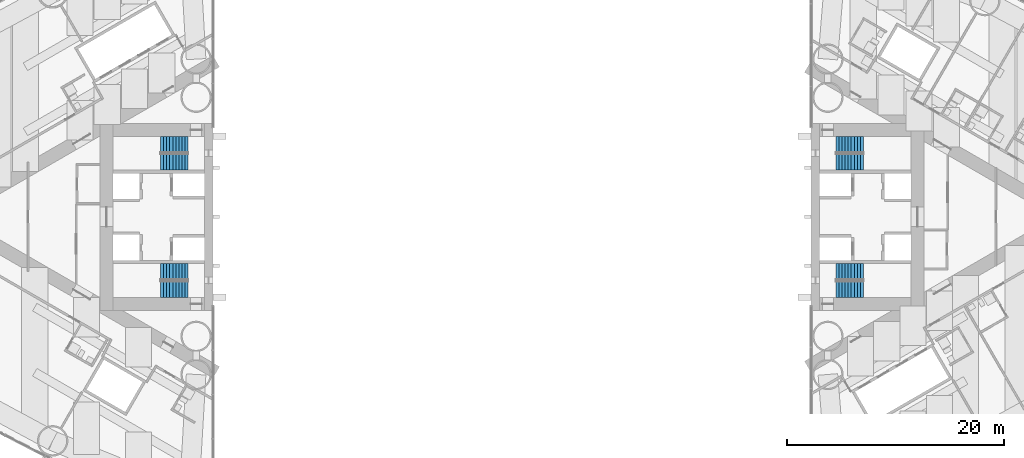
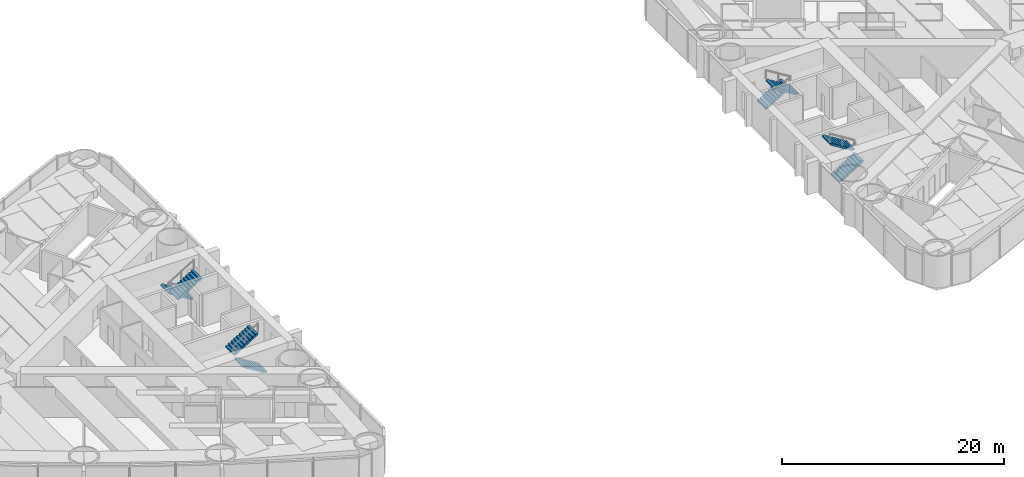
# One storey, part 17 of 19: 8 stair flights, 4 elements without a shape of their own.
"""IFC4 building model written with IfcOpenShell, lengths in metres."""

import ifcopenshell
import ifcopenshell.guid

model = None  # the IFC model being written
_history = None  # IfcOwnerHistory: only IFC2X3 demands one
_inside = {}  # id of a spatial element -> (the spatial element, [elements in it])
_under = {}  # id of a project, library or spatial element -> (it, [spatial elements below it])
_declared = {}  # id of a project -> (the project, [libraries it declares])
_typed = {}  # id of a type object -> (the type object, [elements of that type])
_made_of = {}  # id of a material, layer set ... -> (it, [elements and type objects made of it])


def new_model(schema):
    """Start an empty IFC model of exactly this schema.

    Asked for "IFC4X3", IfcOpenShell would pick the latest addendum, in which some entities
    have other attributes; the version numbers below select the first issue.
    IFC2X3 requires an IfcOwnerHistory on every rooted entity: one is made here for all.
    """
    global model, _history
    if schema == "IFC4X3":
        model = ifcopenshell.file(schema_version=(4, 3, 0, 0))
    else:
        model = ifcopenshell.file(schema=schema)
    _inside.clear()
    _under.clear()
    _declared.clear()
    _typed.clear()
    _made_of.clear()
    _history = None
    if model.schema == "IFC2X3":
        org = make("IfcOrganization", Name="unknown")
        user = make(
            "IfcPersonAndOrganization",
            ThePerson=make("IfcPerson", FamilyName="unknown"),
            TheOrganization=org,
        )
        app = make(
            "IfcApplication",
            ApplicationDeveloper=org,
            Version="unknown",
            ApplicationFullName="unknown",
            ApplicationIdentifier="unknown",
        )
        _history = make(
            "IfcOwnerHistory",
            OwningUser=user,
            OwningApplication=app,
            ChangeAction="ADDED",
            CreationDate=0,
        )
    return model


def make(cls, **values):
    """One entity of the class cls with the attributes given. An attribute that is None is left unset."""
    return model.create_entity(
        cls, **{name: value for name, value in values.items() if value is not None}
    )


def rooted(cls, **values):
    """An entity with a GlobalId (a new one), such as an element, a storey or a relation."""
    return make(cls, GlobalId=ifcopenshell.guid.new(), OwnerHistory=_history, **values)


def si_unit(unit_type, name, prefix=None):
    """IfcSIUnit, for example si_unit("LENGTHUNIT", "METRE", prefix="MILLI")."""
    return make("IfcSIUnit", UnitType=unit_type, Prefix=prefix, Name=name)


def assignment(units):
    """IfcUnitAssignment: the units of a project."""
    return None if units is None else make("IfcUnitAssignment", Units=units)


def point(xyz):
    """IfcCartesianPoint."""
    return None if xyz is None else make("IfcCartesianPoint", Coordinates=xyz)


def direction(xyz):
    """IfcDirection."""
    return None if xyz is None else make("IfcDirection", DirectionRatios=xyz)


def frame(location, z_axis=None, x_axis=None):
    """IfcAxis2Placement3D, a coordinate frame: its origin and axes. An axis left out is left unset."""
    return make(
        "IfcAxis2Placement3D",
        Location=point(location),
        Axis=direction(z_axis),
        RefDirection=direction(x_axis),
    )


def origin():
    """The frame at (0, 0, 0) with its axes left unset."""
    return frame((0.0, 0.0, 0.0))


def place(relative_to, where):
    """IfcLocalPlacement: puts the frame where relative to a parent placement (None: the world)."""
    return make(
        "IfcLocalPlacement", PlacementRelTo=relative_to, RelativePlacement=where
    )


def context(
    kind, dimensions, precision=None, world=None, true_north=None, identifier=None
):
    """IfcGeometricRepresentationContext, for example the 3D "Model" context."""
    return make(
        "IfcGeometricRepresentationContext",
        ContextIdentifier=identifier,
        ContextType=kind,
        CoordinateSpaceDimension=dimensions,
        Precision=precision,
        WorldCoordinateSystem=world,
        TrueNorth=true_north,
    )


def subcontext(parent, identifier, kind, view, scale=None):
    """IfcGeometricRepresentationSubContext, for example "Body" below "Model"."""
    return make(
        "IfcGeometricRepresentationSubContext",
        ContextIdentifier=identifier,
        ContextType=kind,
        ParentContext=parent,
        TargetScale=scale,
        TargetView=view,
    )


def project(units=None, contexts=None):
    """IfcProject with its units and contexts."""
    return rooted(
        "IfcProject",
        Name="project",
        RepresentationContexts=contexts,
        UnitsInContext=assignment(units),
    )


def spatial(cls, under=None, at=None, **own):
    """A site, building, storey or space (cls), placed at a placement, below another one or the project."""
    s = rooted(cls, ObjectPlacement=at, **own)
    if under is not None:
        _under.setdefault(under.id(), (under, []))[1].append(s)
    return s


def polyline(points):
    """IfcPolyline through the points."""
    return make("IfcPolyline", Points=[point(p) for p in points])


def outline(outer, holes=None, kind="AREA"):
    """IfcArbitraryClosedProfileDef: a profile drawn as a closed curve; with holes, ...WithVoids."""
    if holes is None:
        return make("IfcArbitraryClosedProfileDef", ProfileType=kind, OuterCurve=outer)
    return make(
        "IfcArbitraryProfileDefWithVoids",
        ProfileType=kind,
        OuterCurve=outer,
        InnerCurves=holes,
    )


def extrude(swept, where, along, depth):
    """IfcExtrudedAreaSolid: the profile swept, set in the frame where, extruded along a direction by depth."""
    return make(
        "IfcExtrudedAreaSolid",
        SweptArea=swept,
        Position=where,
        ExtrudedDirection=direction(along),
        Depth=depth,
    )


def shape(context_of_items, identifier, shape_type, items):
    """IfcShapeRepresentation: the items that make up one representation, for example the "Body"."""
    return make(
        "IfcShapeRepresentation",
        ContextOfItems=context_of_items,
        RepresentationIdentifier=identifier,
        RepresentationType=shape_type,
        Items=items,
    )


def material(Name=None, Category=None):
    """IfcMaterial."""
    return make("IfcMaterial", Name=Name, Category=Category)


def made_of(thing, what):
    """Note that an element or type object is made of a material, layer set ...; save() writes the relation."""
    if what is not None:
        _made_of.setdefault(what.id(), (what, []))[1].append(thing)
    return thing


def type_object(cls, material=None, **own):
    """A type object (cls), such as IfcWallType, which elements share."""
    return made_of(rooted(cls, **own), material)


def element(
    cls,
    number,
    at=None,
    inside=None,
    cuts=None,
    type_object=None,
    material=None,
    context=None,
    identifier="Body",
    shape_type=None,
    held_by="IfcProductDefinitionShape",
    body=None,
    shapes=None,
    **own,
):
    """One element of the class cls, such as IfcWall. Its Tag is "e" and its number.

    at: its placement. inside: the storey or other place that contains it. cuts: it is an
    opening in that element (IfcRelVoidsElement). A single representation is given by context,
    identifier, shape_type and body (its items); several are given by shapes. held_by: the class
    of the entity that holds the representations. save() writes the other relations.
    """
    e = rooted(cls, Tag="e%d" % number, ObjectPlacement=at, **own)
    if body is not None:
        shapes = [shape(context, identifier, shape_type, body)]
    if shapes is not None:
        e.Representation = make(held_by, Representations=shapes)
    if inside is not None:
        _inside.setdefault(inside.id(), (inside, []))[1].append(e)
    if cuts is not None:
        rooted(
            "IfcRelVoidsElement", RelatingBuildingElement=cuts, RelatedOpeningElement=e
        )
    if type_object is not None:
        _typed.setdefault(type_object.id(), (type_object, []))[1].append(e)
    return made_of(e, material)


def aggregate(whole, parts):
    """IfcRelAggregates: a whole, such as a stair, and the parts it consists of."""
    return rooted("IfcRelAggregates", RelatingObject=whole, RelatedObjects=parts)


def save(model, path):
    """Write the relations noted so far, then the file.

    IfcRelAggregates (storeys below a building ...), IfcRelContainedInSpatialStructure (elements
    in a storey), IfcRelDefinesByType, IfcRelAssociatesMaterial and IfcRelDeclares: one each for
    every whole, place, type object, material and project.
    """
    for whole, parts in _under.values():
        aggregate(whole, parts)
    for where, things in _inside.values():
        rooted(
            "IfcRelContainedInSpatialStructure",
            RelatedElements=things,
            RelatingStructure=where,
        )
    for kind, things in _typed.values():
        rooted("IfcRelDefinesByType", RelatedObjects=things, RelatingType=kind)
    for what, things in _made_of.values():
        rooted("IfcRelAssociatesMaterial", RelatedObjects=things, RelatingMaterial=what)
    for by, libraries in _declared.values():
        rooted("IfcRelDeclares", RelatingContext=by, RelatedDefinitions=libraries)
    model.write(path)


model = new_model("IFC4")

# Units and contexts
model_context = context("Model", 3, precision=1e-05, world=origin(), true_north=direction((0.0, 1.0)))
body_context = subcontext(model_context, "Body", "Model", "MODEL_VIEW")
ifc_project = project(units=[si_unit("LENGTHUNIT", "METRE"), si_unit("AREAUNIT", "SQUARE_METRE"), si_unit("VOLUMEUNIT", "CUBIC_METRE"), si_unit("PLANEANGLEUNIT", "RADIAN"), si_unit("MASSUNIT", "GRAM", prefix="KILO")], contexts=[model_context])

# Site, building, storey
site_placement = place(None, origin())
site = spatial("IfcSite", under=ifc_project, at=site_placement, CompositionType="ELEMENT")
building_placement = place(site_placement, origin())
building = spatial("IfcBuilding", under=site, at=building_placement, Name="Lancet Gate Hotel", CompositionType="ELEMENT")
storey_placement = place(building_placement, frame((0.0, 0.0, 39.0)))
storey = spatial("IfcBuildingStorey", under=building, at=storey_placement, Name="L09", CompositionType="ELEMENT", Elevation=39.0)

# Stair, stair flights
ifc_material_1 = material(Name="Exit stair 20 risers 1500")
stair_type = type_object("IfcStairType", Name="Exit stair 20 risers 1500", PredefinedType="HALF_TURN_STAIR", material=ifc_material_1)
stair_1_placement = place(storey_placement, origin())
stair_1 = element("IfcStair", 1, at=stair_1_placement, inside=storey, type_object=stair_type, Name="T1 stair 1 L09", PredefinedType="HALF_TURN_STAIR")
ifc_material_2 = material(Name="Stair flight 10 risers 175 rise 1500")
stair_flight_type = type_object("IfcStairFlightType", Name="Stair flight 10 risers 175 rise 1500", PredefinedType="STRAIGHT", material=ifc_material_2)
stair_flight_1_placement = place(storey_placement, frame((-29.800048828125, 6.64990234375, 0.0), z_axis=(0.0, 0.0, 1.0), x_axis=(-1.0, 0.0, 0.0)))
stair_flight_1 = element("IfcStairFlight", 2, at=stair_flight_1_placement, type_object=stair_flight_type, Name="ST1 flight 1", NumberOfRisers=10, NumberOfTreads=9, PredefinedType="STRAIGHT", RiserHeight=0.175, TreadLength=0.28, context=body_context, shape_type="SweptSolid", body=[
    extrude(outline(polyline([(0.0, 0.0), (0.0, 0.175048828125), (0.280029296875, 0.175048828125), (0.280029296875, 0.35009765625), (0.56005859375, 0.35009765625), (0.56005859375, 0.52490234375), (0.840087890625, 0.52490234375), (0.840087890625, 0.699951171875), (1.1201171875, 0.699951171875), (1.1201171875, 0.875), (1.39990234375, 0.875), (1.39990234375, 1.050048828125), (1.679931640625, 1.050048828125), (1.679931640625, 1.22509765625), (1.9599609375, 1.22509765625), (1.9599609375, 1.39990234375), (2.239990234375, 1.39990234375), (2.239990234375, 1.574951171875), (2.52001953125, 1.574951171875), (2.52001953125, 1.75), (2.52001953125, 1.398193359375), (0.28271484375, 0.0), (0.0, 0.0)])), frame((0.0, 0.75, 0.0), z_axis=(0.0, -1.0, 0.0), x_axis=(1.0, 0.0, 0.0)), (0.0, 0.0, 1.0), 1.5),
])
stair_flight_2_placement = place(storey_placement, frame((-32.320068359375, 5.050048828125, 1.75), z_axis=(0.0, 0.0, 1.0), x_axis=(1.0, 0.0, 0.0)))
stair_flight_2 = element("IfcStairFlight", 3, at=stair_flight_2_placement, type_object=stair_flight_type, Name="ST1 flight 2", NumberOfRisers=10, NumberOfTreads=9, PredefinedType="STRAIGHT", RiserHeight=0.175, TreadLength=0.28, context=body_context, shape_type="SweptSolid", body=[
    extrude(outline(polyline([(0.0, 0.0), (0.0, 0.175048828125), (0.280029296875, 0.175048828125), (0.280029296875, 0.35009765625), (0.56005859375, 0.35009765625), (0.56005859375, 0.52490234375), (0.840087890625, 0.52490234375), (0.840087890625, 0.699951171875), (1.1201171875, 0.699951171875), (1.1201171875, 0.875), (1.39990234375, 0.875), (1.39990234375, 1.050048828125), (1.679931640625, 1.050048828125), (1.679931640625, 1.22509765625), (1.9599609375, 1.22509765625), (1.9599609375, 1.39990234375), (2.239990234375, 1.39990234375), (2.239990234375, 1.574951171875), (2.52001953125, 1.574951171875), (2.52001953125, 1.75), (2.52001953125, 1.398193359375), (0.28271484375, 0.0), (0.0, 0.0)])), frame((0.0, 0.75, 0.0), z_axis=(0.0, -1.0, 0.0), x_axis=(1.0, 0.0, 0.0)), (0.0, 0.0, 1.0), 1.5),
])
aggregate(stair_1, [stair_flight_1, stair_flight_2])

stair_2_placement = place(storey_placement, origin())
stair_2 = element("IfcStair", 4, at=stair_2_placement, inside=storey, type_object=stair_type, Name="T1 stair 2 L09", PredefinedType="HALF_TURN_STAIR")
stair_flight_3_placement = place(storey_placement, frame((-29.800048828125, -6.64990234375, 0.0), z_axis=(0.0, 0.0, 1.0), x_axis=(-1.0, 0.0, 0.0)))
stair_flight_3 = element("IfcStairFlight", 5, at=stair_flight_3_placement, type_object=stair_flight_type, Name="ST2 flight 1", NumberOfRisers=10, NumberOfTreads=9, PredefinedType="STRAIGHT", RiserHeight=0.175, TreadLength=0.28, context=body_context, shape_type="SweptSolid", body=[
    extrude(outline(polyline([(0.0, 0.0), (0.0, 0.175048828125), (0.280029296875, 0.175048828125), (0.280029296875, 0.35009765625), (0.56005859375, 0.35009765625), (0.56005859375, 0.52490234375), (0.840087890625, 0.52490234375), (0.840087890625, 0.699951171875), (1.1201171875, 0.699951171875), (1.1201171875, 0.875), (1.39990234375, 0.875), (1.39990234375, 1.050048828125), (1.679931640625, 1.050048828125), (1.679931640625, 1.22509765625), (1.9599609375, 1.22509765625), (1.9599609375, 1.39990234375), (2.239990234375, 1.39990234375), (2.239990234375, 1.574951171875), (2.52001953125, 1.574951171875), (2.52001953125, 1.75), (2.52001953125, 1.398193359375), (0.28271484375, 0.0), (0.0, 0.0)])), frame((0.0, 0.75, 0.0), z_axis=(0.0, -1.0, 0.0), x_axis=(1.0, 0.0, 0.0)), (0.0, 0.0, 1.0), 1.5),
])
stair_flight_4_placement = place(storey_placement, frame((-32.320068359375, -5.050048828125, 1.75), z_axis=(0.0, 0.0, 1.0), x_axis=(1.0, 0.0, 0.0)))
stair_flight_4 = element("IfcStairFlight", 6, at=stair_flight_4_placement, type_object=stair_flight_type, Name="ST2 flight 2", NumberOfRisers=10, NumberOfTreads=9, PredefinedType="STRAIGHT", RiserHeight=0.175, TreadLength=0.28, context=body_context, shape_type="SweptSolid", body=[
    extrude(outline(polyline([(0.0, 0.0), (0.0, 0.175048828125), (0.280029296875, 0.175048828125), (0.280029296875, 0.35009765625), (0.56005859375, 0.35009765625), (0.56005859375, 0.52490234375), (0.840087890625, 0.52490234375), (0.840087890625, 0.699951171875), (1.1201171875, 0.699951171875), (1.1201171875, 0.875), (1.39990234375, 0.875), (1.39990234375, 1.050048828125), (1.679931640625, 1.050048828125), (1.679931640625, 1.22509765625), (1.9599609375, 1.22509765625), (1.9599609375, 1.39990234375), (2.239990234375, 1.39990234375), (2.239990234375, 1.574951171875), (2.52001953125, 1.574951171875), (2.52001953125, 1.75), (2.52001953125, 1.398193359375), (0.28271484375, 0.0), (0.0, 0.0)])), frame((0.0, 0.75, 0.0), z_axis=(0.0, -1.0, 0.0), x_axis=(1.0, 0.0, 0.0)), (0.0, 0.0, 1.0), 1.5),
])
aggregate(stair_2, [stair_flight_3, stair_flight_4])

stair_3_placement = place(storey_placement, origin())
stair_3 = element("IfcStair", 7, at=stair_3_placement, inside=storey, type_object=stair_type, Name="T2 stair 1 L09", PredefinedType="HALF_TURN_STAIR")
stair_flight_5_placement = place(storey_placement, frame((29.800048828125, -6.64990234375, 0.0), z_axis=(0.0, 0.0, 1.0), x_axis=(1.0, 0.0, 0.0)))
stair_flight_5 = element("IfcStairFlight", 8, at=stair_flight_5_placement, type_object=stair_flight_type, Name="ST3 flight 1", NumberOfRisers=10, NumberOfTreads=9, PredefinedType="STRAIGHT", RiserHeight=0.175, TreadLength=0.28, context=body_context, shape_type="SweptSolid", body=[
    extrude(outline(polyline([(0.0, 0.0), (0.0, 0.175048828125), (0.280029296875, 0.175048828125), (0.280029296875, 0.35009765625), (0.56005859375, 0.35009765625), (0.56005859375, 0.52490234375), (0.840087890625, 0.52490234375), (0.840087890625, 0.699951171875), (1.1201171875, 0.699951171875), (1.1201171875, 0.875), (1.39990234375, 0.875), (1.39990234375, 1.050048828125), (1.679931640625, 1.050048828125), (1.679931640625, 1.22509765625), (1.9599609375, 1.22509765625), (1.9599609375, 1.39990234375), (2.239990234375, 1.39990234375), (2.239990234375, 1.574951171875), (2.52001953125, 1.574951171875), (2.52001953125, 1.75), (2.52001953125, 1.398193359375), (0.28271484375, 0.0), (0.0, 0.0)])), frame((0.0, 0.75, 0.0), z_axis=(0.0, -1.0, 0.0), x_axis=(1.0, 0.0, 0.0)), (0.0, 0.0, 1.0), 1.5),
])
stair_flight_6_placement = place(storey_placement, frame((32.320068359375, -5.050048828125, 1.75), z_axis=(0.0, 0.0, 1.0), x_axis=(-1.0, 0.0, 0.0)))
stair_flight_6 = element("IfcStairFlight", 9, at=stair_flight_6_placement, type_object=stair_flight_type, Name="ST3 flight 2", NumberOfRisers=10, NumberOfTreads=9, PredefinedType="STRAIGHT", RiserHeight=0.175, TreadLength=0.28, context=body_context, shape_type="SweptSolid", body=[
    extrude(outline(polyline([(0.0, 0.0), (0.0, 0.175048828125), (0.280029296875, 0.175048828125), (0.280029296875, 0.35009765625), (0.56005859375, 0.35009765625), (0.56005859375, 0.52490234375), (0.840087890625, 0.52490234375), (0.840087890625, 0.699951171875), (1.1201171875, 0.699951171875), (1.1201171875, 0.875), (1.39990234375, 0.875), (1.39990234375, 1.050048828125), (1.679931640625, 1.050048828125), (1.679931640625, 1.22509765625), (1.9599609375, 1.22509765625), (1.9599609375, 1.39990234375), (2.239990234375, 1.39990234375), (2.239990234375, 1.574951171875), (2.52001953125, 1.574951171875), (2.52001953125, 1.75), (2.52001953125, 1.398193359375), (0.28271484375, 0.0), (0.0, 0.0)])), frame((0.0, 0.75, 0.0), z_axis=(0.0, -1.0, 0.0), x_axis=(1.0, 0.0, 0.0)), (0.0, 0.0, 1.0), 1.5),
])
aggregate(stair_3, [stair_flight_5, stair_flight_6])

stair_4_placement = place(storey_placement, origin())
stair_4 = element("IfcStair", 10, at=stair_4_placement, inside=storey, type_object=stair_type, Name="T2 stair 2 L09", PredefinedType="HALF_TURN_STAIR")
stair_flight_7_placement = place(storey_placement, frame((29.800048828125, 6.64990234375, 0.0), z_axis=(0.0, 0.0, 1.0), x_axis=(1.0, 0.0, 0.0)))
stair_flight_7 = element("IfcStairFlight", 11, at=stair_flight_7_placement, type_object=stair_flight_type, Name="ST4 flight 1", NumberOfRisers=10, NumberOfTreads=9, PredefinedType="STRAIGHT", RiserHeight=0.175, TreadLength=0.28, context=body_context, shape_type="SweptSolid", body=[
    extrude(outline(polyline([(0.0, 0.0), (0.0, 0.175048828125), (0.280029296875, 0.175048828125), (0.280029296875, 0.35009765625), (0.56005859375, 0.35009765625), (0.56005859375, 0.52490234375), (0.840087890625, 0.52490234375), (0.840087890625, 0.699951171875), (1.1201171875, 0.699951171875), (1.1201171875, 0.875), (1.39990234375, 0.875), (1.39990234375, 1.050048828125), (1.679931640625, 1.050048828125), (1.679931640625, 1.22509765625), (1.9599609375, 1.22509765625), (1.9599609375, 1.39990234375), (2.239990234375, 1.39990234375), (2.239990234375, 1.574951171875), (2.52001953125, 1.574951171875), (2.52001953125, 1.75), (2.52001953125, 1.398193359375), (0.28271484375, 0.0), (0.0, 0.0)])), frame((0.0, 0.75, 0.0), z_axis=(0.0, -1.0, 0.0), x_axis=(1.0, 0.0, 0.0)), (0.0, 0.0, 1.0), 1.5),
])
stair_flight_8_placement = place(storey_placement, frame((32.320068359375, 5.050048828125, 1.75), z_axis=(0.0, 0.0, 1.0), x_axis=(-1.0, 0.0, 0.0)))
stair_flight_8 = element("IfcStairFlight", 12, at=stair_flight_8_placement, type_object=stair_flight_type, Name="ST4 flight 2", NumberOfRisers=10, NumberOfTreads=9, PredefinedType="STRAIGHT", RiserHeight=0.175, TreadLength=0.28, context=body_context, shape_type="SweptSolid", body=[
    extrude(outline(polyline([(0.0, 0.0), (0.0, 0.175048828125), (0.280029296875, 0.175048828125), (0.280029296875, 0.35009765625), (0.56005859375, 0.35009765625), (0.56005859375, 0.52490234375), (0.840087890625, 0.52490234375), (0.840087890625, 0.699951171875), (1.1201171875, 0.699951171875), (1.1201171875, 0.875), (1.39990234375, 0.875), (1.39990234375, 1.050048828125), (1.679931640625, 1.050048828125), (1.679931640625, 1.22509765625), (1.9599609375, 1.22509765625), (1.9599609375, 1.39990234375), (2.239990234375, 1.39990234375), (2.239990234375, 1.574951171875), (2.52001953125, 1.574951171875), (2.52001953125, 1.75), (2.52001953125, 1.398193359375), (0.28271484375, 0.0), (0.0, 0.0)])), frame((0.0, 0.75, 0.0), z_axis=(0.0, -1.0, 0.0), x_axis=(1.0, 0.0, 0.0)), (0.0, 0.0, 1.0), 1.5),
])
aggregate(stair_4, [stair_flight_7, stair_flight_8])

save(model, "model.ifc")
